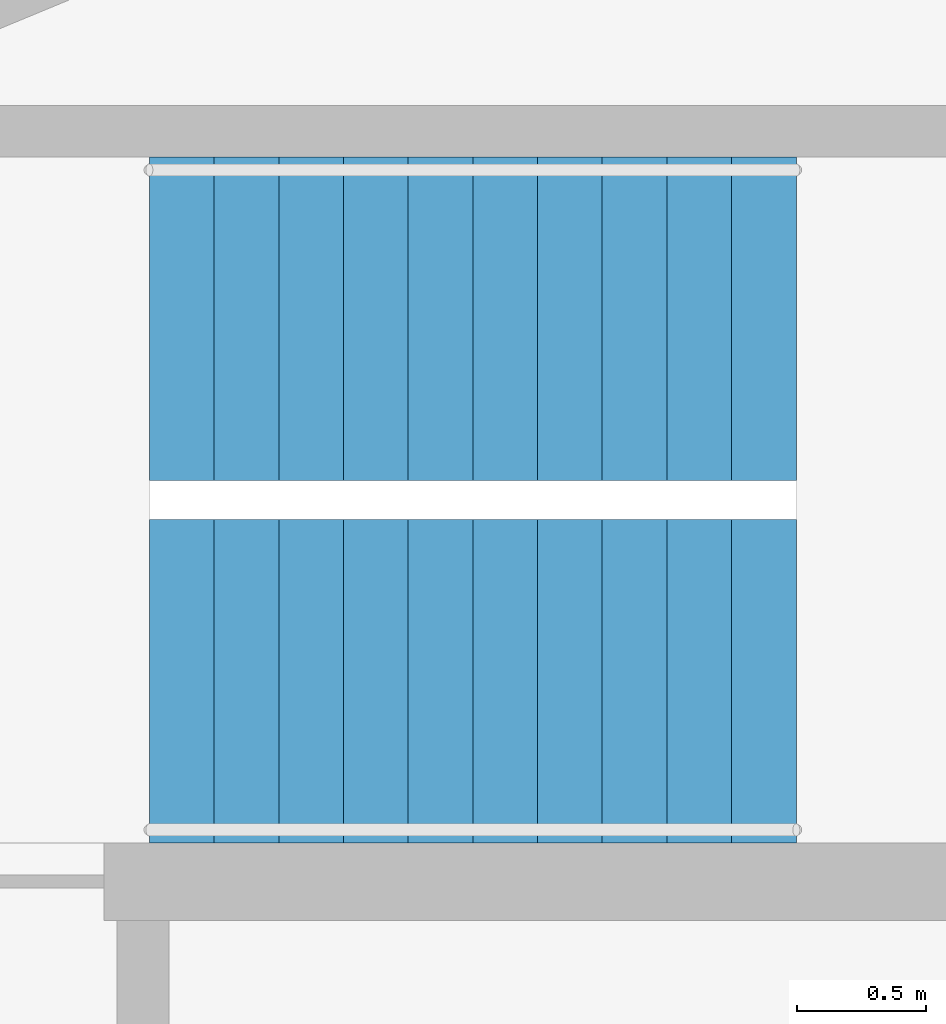
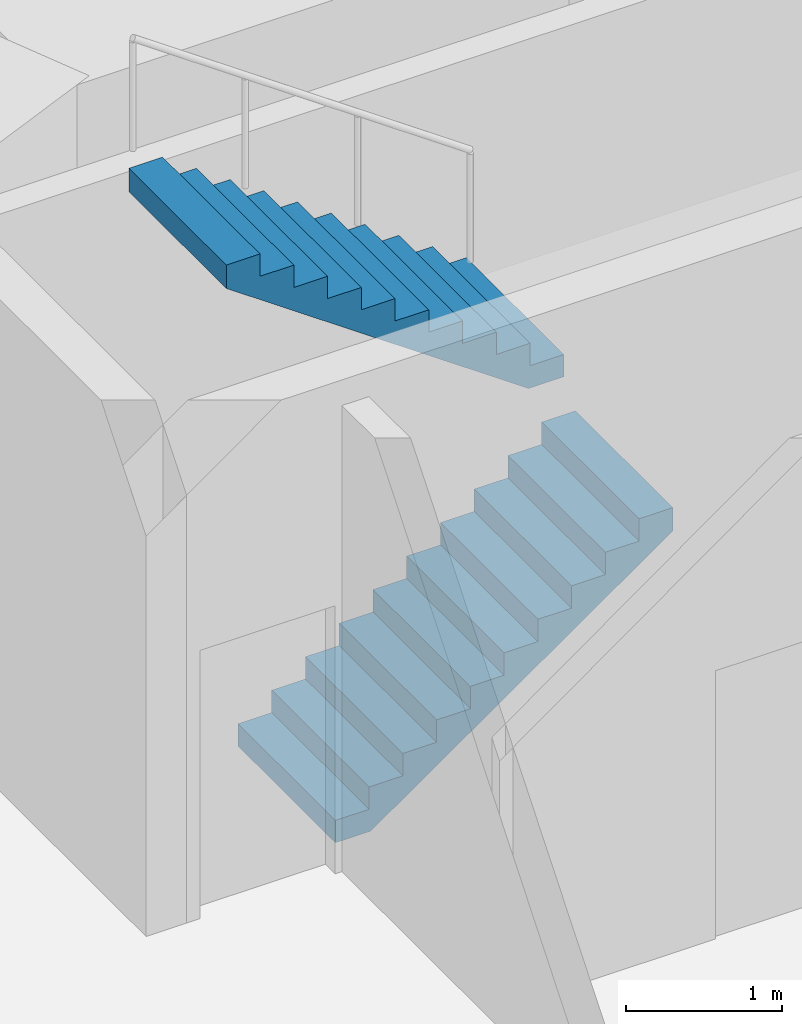
# One storey, part 13 of 15: 2 stair flights, 1 element without a shape of its own.
"""IFC4 building model written with IfcOpenShell, lengths in metres."""

from ifc_helpers import new_model, si_unit, direction, frame, origin, place, context, subcontext, project, spatial, polyline, outline, extrude, material, type_object, element, aggregate, save


model = new_model("IFC4")

# Units and contexts
model_context = context("Model", 3, precision=1e-05, world=origin(), true_north=direction((0.0, 1.0)))
body_context = subcontext(model_context, "Body", "Model", "MODEL_VIEW")
ifc_project = project(units=[si_unit("LENGTHUNIT", "METRE"), si_unit("AREAUNIT", "SQUARE_METRE"), si_unit("VOLUMEUNIT", "CUBIC_METRE"), si_unit("PLANEANGLEUNIT", "RADIAN"), si_unit("MASSUNIT", "GRAM", prefix="KILO")], contexts=[model_context])

# Site, building, storey
site_placement = place(None, origin())
site = spatial("IfcSite", under=ifc_project, at=site_placement, CompositionType="ELEMENT")
building_placement = place(site_placement, origin())
building = spatial("IfcBuilding", under=site, at=building_placement, Name="Nakasero Lantern House", CompositionType="ELEMENT")
storey_placement = place(building_placement, frame((0.0, 0.0, 68.199951171875)))
storey = spatial("IfcBuildingStorey", under=building, at=storey_placement, Name="L16", CompositionType="ELEMENT", Elevation=68.199951171875)

# Stair, stair flights
ifc_material_1 = material(Name="Concrete C40/50", Category="concrete")
stair_type = type_object("IfcStairType", Name="Escape stair ST1 22 risers", PredefinedType="HALF_TURN_STAIR", material=ifc_material_1)
stair_placement = place(storey_placement, origin())
stair = element("IfcStair", 1, at=stair_placement, inside=storey, type_object=stair_type, Name="Escape stair ST1 L16", PredefinedType="HALF_TURN_STAIR")
ifc_material_2 = material(Name="Concrete C40/50", Category="concrete")
stair_flight_type = type_object("IfcStairFlightType", Name="Escape stair flight", PredefinedType="STRAIGHT", material=ifc_material_2)
stair_flight_1_placement = place(storey_placement, frame((-1.875, 6.375, 0.0), z_axis=(0.0, 0.0, 1.0), x_axis=(1.0, 0.0, 0.0)))
stair_flight_1 = element("IfcStairFlight", 2, at=stair_flight_1_placement, type_object=stair_flight_type, Name="ST1 flight 1", NumberOfRisers=11, NumberOfTreads=10, PredefinedType="STRAIGHT", RiserHeight=0.175, TreadLength=0.25, context=body_context, shape_type="SweptSolid", body=[
    extrude(outline(polyline([(0.0, 0.0), (0.0, 0.175048828125), (0.25, 0.175048828125), (0.25, 0.35009765625), (0.5, 0.35009765625), (0.5, 0.52490234375), (0.75, 0.52490234375), (0.75, 0.699951171875), (1.0, 0.699951171875), (1.0, 0.875), (1.25, 0.875), (1.25, 1.050048828125), (1.5, 1.050048828125), (1.5, 1.22509765625), (1.75, 1.22509765625), (1.75, 1.39990234375), (2.0, 1.39990234375), (2.0, 1.574951171875), (2.25, 1.574951171875), (2.25, 1.75), (2.5, 1.75), (2.5, 1.925048828125), (2.5, 1.567138671875), (0.261474609375, 0.0), (0.0, 0.0)])), frame((0.0, 0.625, 0.0), z_axis=(0.0, -1.0, 0.0), x_axis=(1.0, 0.0, 0.0)), (0.0, 0.0, 1.0), 1.25),
])
stair_flight_2_placement = place(storey_placement, frame((0.625, 7.77490234375, 1.925048828125), z_axis=(0.0, 0.0, 1.0), x_axis=(-1.0, 0.0, 0.0)))
stair_flight_2 = element("IfcStairFlight", 3, at=stair_flight_2_placement, type_object=stair_flight_type, Name="ST1 flight 2", NumberOfRisers=11, NumberOfTreads=10, PredefinedType="STRAIGHT", RiserHeight=0.175, TreadLength=0.25, context=body_context, shape_type="SweptSolid", body=[
    extrude(outline(polyline([(0.0, 0.0), (0.0, 0.175048828125), (0.25, 0.175048828125), (0.25, 0.35009765625), (0.5, 0.35009765625), (0.5, 0.52490234375), (0.75, 0.52490234375), (0.75, 0.699951171875), (1.0, 0.699951171875), (1.0, 0.875), (1.25, 0.875), (1.25, 1.050048828125), (1.5, 1.050048828125), (1.5, 1.22509765625), (1.75, 1.22509765625), (1.75, 1.39990234375), (2.0, 1.39990234375), (2.0, 1.574951171875), (2.25, 1.574951171875), (2.25, 1.75), (2.5, 1.75), (2.5, 1.925048828125), (2.5, 1.567138671875), (0.261474609375, 0.0), (0.0, 0.0)])), frame((0.0, 0.625, 0.0), z_axis=(0.0, -1.0, 0.0), x_axis=(1.0, 0.0, 0.0)), (0.0, 0.0, 1.0), 1.25),
])
aggregate(stair, [stair_flight_1, stair_flight_2])

save(model, "model.ifc")
